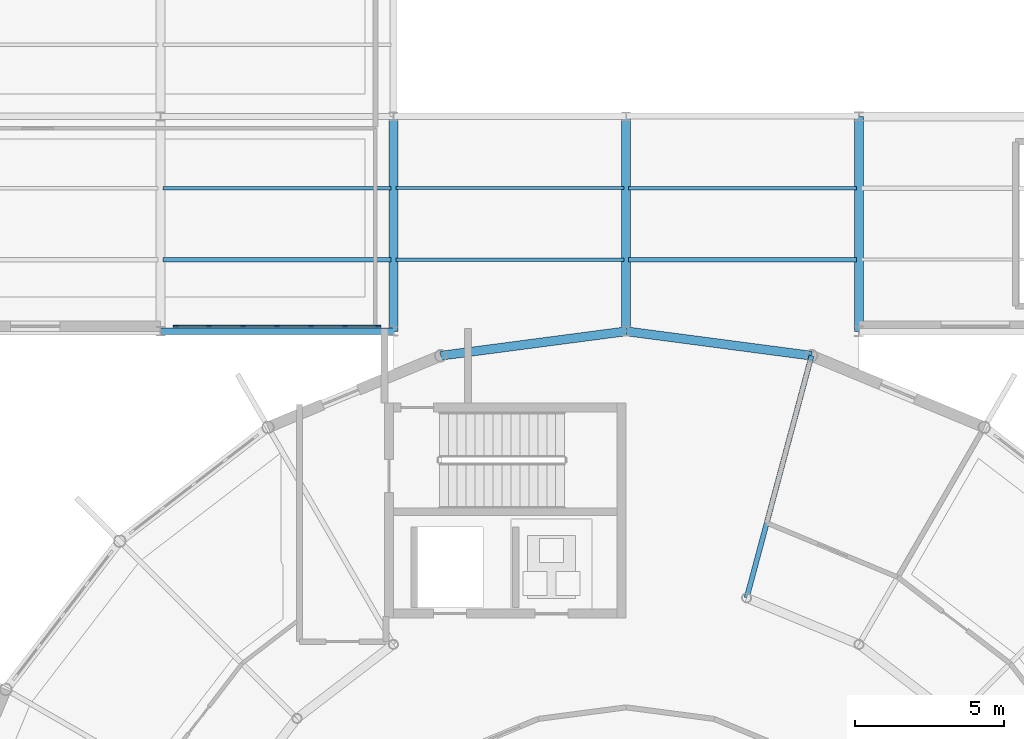
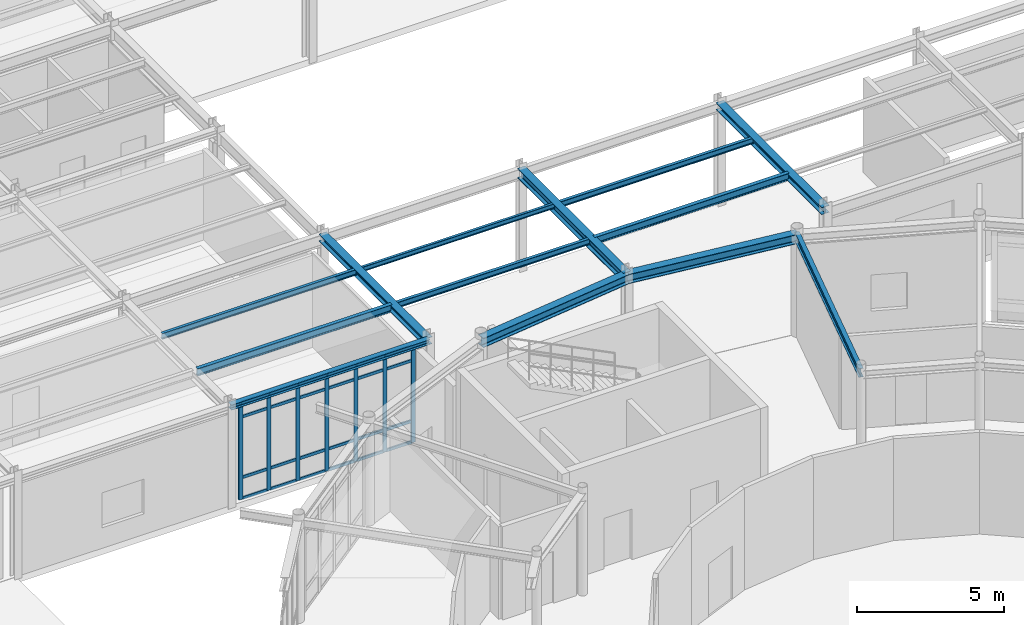
# One storey, part 45 of 101: 31 members, 13 beams, 1 element without a shape of its own.
"""IFC4 building model written with IfcOpenShell, lengths in metres."""

from ifc_helpers import new_model, si_unit, derived_unit, direction, frame, origin, origin_2d, place, context, subcontext, project, spatial, rectangle, i_section, extrude, material, layer, layer_set, material_profile, profile_set, type_object, element, aggregate, save


model = new_model("IFC4")

# Units and contexts
model_context = context("Model", 3, precision=1e-05, world=origin(), true_north=direction((0.0, 1.0)))
body_context = subcontext(model_context, "Body", "Model", "MODEL_VIEW")
ifc_project = project(units=[si_unit("LENGTHUNIT", "METRE"), si_unit("AREAUNIT", "SQUARE_METRE"), si_unit("VOLUMEUNIT", "CUBIC_METRE"), si_unit("PLANEANGLEUNIT", "RADIAN"), si_unit("MASSUNIT", "GRAM", prefix="KILO"), derived_unit("THERMALTRANSMITTANCEUNIT", [(si_unit("POWERUNIT", "WATT"), 1), (si_unit("AREAUNIT", "SQUARE_METRE"), -1), (si_unit("THERMODYNAMICTEMPERATUREUNIT", "KELVIN"), -1)])], contexts=[model_context])

# Site, building, storey
site_placement = place(None, origin())
site = spatial("IfcSite", under=ifc_project, at=site_placement, CompositionType="ELEMENT")
building_placement = place(site_placement, origin())
building = spatial("IfcBuilding", under=site, at=building_placement, Name="Yasenodar Specialist Clinic", CompositionType="ELEMENT")
storey_placement = place(building_placement, origin())
storey = spatial("IfcBuildingStorey", under=building, at=storey_placement, Name="L00", CompositionType="ELEMENT", Elevation=0.0)

# Beams
ifc_material_1 = material(Name="Steel S355", Category="steel")
ifc_material_profile_1 = material_profile(ifc_material_1, i_section(OverallWidth=0.219970703125, OverallDepth=0.2099609375, WebThickness=0.007080078125, FlangeThickness=0.010986328125, FilletRadius=0.01806640625, at=origin_2d()), Name="HEA 220")
ifc_profile_set_1 = profile_set([ifc_material_profile_1], Name="Steel S355")
beam_type_1 = type_object("IfcBeamType", Name="BM-HEA220", PredefinedType="BEAM", material=ifc_profile_set_1)
beam_1_placement = place(storey_placement, frame((65.39990234375, 82.800048828125, 4.14501953125), z_axis=(1.0, 0.0, 0.0), x_axis=(0.0, 1.0, 0.0)))
element("IfcBeam", 1, at=beam_1_placement, inside=storey, type_object=beam_type_1, Name="L00 Primary E-W Girder", PredefinedType="BEAM", context=body_context, shape_type="SweptSolid", body=[
    extrude(i_section(OverallWidth=0.219970703125, OverallDepth=0.2099609375, WebThickness=0.007080078125, FlangeThickness=0.010986328125, FilletRadius=0.01806640625, at=origin_2d()), origin(), (0.0, 0.0, 1.0), 7.800048828125),
])
ifc_material_profile_2 = material_profile(ifc_material_1, i_section(OverallWidth=0.300048828125, OverallDepth=0.2900390625, WebThickness=0.008544921875, FlangeThickness=0.013916015625, FilletRadius=0.027099609375, at=origin_2d()), Name="HEA 300")
ifc_profile_set_2 = profile_set([ifc_material_profile_2], Name="Steel S355")
beam_type_2 = type_object("IfcBeamType", Name="BM-HEA300", PredefinedType="BEAM", material=ifc_profile_set_2)
beam_2_placement = place(storey_placement, frame((73.199951171875, 82.800048828125, 4.10498046875), z_axis=(0.0, 1.0, 0.0), x_axis=(-1.0, 0.0, 0.0)))
element("IfcBeam", 2, at=beam_2_placement, inside=storey, type_object=beam_type_2, Name="L00 Primary N-S Girder", PredefinedType="BEAM", context=body_context, shape_type="SweptSolid", body=[
    extrude(i_section(OverallWidth=0.300048828125, OverallDepth=0.2900390625, WebThickness=0.008544921875, FlangeThickness=0.013916015625, FilletRadius=0.027099609375, at=origin_2d()), origin(), (0.0, 0.0, 1.0), 7.199951171875),
])
ifc_material_profile_3 = material_profile(ifc_material_1, i_section(OverallWidth=0.300048828125, OverallDepth=0.389892578125, WebThickness=0.010986328125, FlangeThickness=0.01904296875, FilletRadius=0.027099609375, at=origin_2d()), Name="HEA 400")
ifc_profile_set_3 = profile_set([ifc_material_profile_3], Name="Steel S355")
beam_type_3 = type_object("IfcBeamType", Name="BM-HEA400", PredefinedType="BEAM", material=ifc_profile_set_3)
for number, where, z_axis, x_axis, name in (
    (3, (87.211669921875, 81.982177734375, 4.054931640625), (-0.991443018138, 0.130540192224, 0.0), (-0.130540192224, -0.991443018138, 0.0), "L00 Drum V1 Perimeter Ring Beam"),
    (4, (81.0, 82.800048828125, 4.054931640625), (-0.991443018138, -0.130540192224, 0.0), (0.130540192224, -0.991443018138, 0.0), "L00 Drum V1 Perimeter Ring Beam"),
):
    element("IfcBeam", number, at=place(storey_placement, frame(where, z_axis=z_axis, x_axis=x_axis)), inside=storey, type_object=beam_type_3, Name=name, PredefinedType="BEAM", context=body_context, shape_type="SweptSolid", body=[
        extrude(i_section(OverallWidth=0.300048828125, OverallDepth=0.389892578125, WebThickness=0.010986328125, FlangeThickness=0.01904296875, FilletRadius=0.027099609375, at=origin_2d()), origin(), (0.0, 0.0, 1.0), 6.265380859375),
    ])
ifc_material_profile_4 = material_profile(ifc_material_1, i_section(OverallWidth=0.300048828125, OverallDepth=0.300048828125, WebThickness=0.010986328125, FlangeThickness=0.01904296875, FilletRadius=0.027099609375, at=origin_2d()), Name="HEB 300")
ifc_profile_set_4 = profile_set([ifc_material_profile_4], Name="Steel S355")
beam_type_4 = type_object("IfcBeamType", Name="BM-HEB300", PredefinedType="BEAM", material=ifc_profile_set_4)
beam_3_placement = place(storey_placement, frame((88.800048828125, 82.800048828125, 4.10009765625), z_axis=(0.0, 1.0, 0.0), x_axis=(-1.0, 0.0, 0.0)))
element("IfcBeam", 5, at=beam_3_placement, inside=storey, type_object=beam_type_4, Name="L00 Primary N-S Girder", PredefinedType="BEAM", context=body_context, shape_type="SweptSolid", body=[
    extrude(i_section(OverallWidth=0.300048828125, OverallDepth=0.300048828125, WebThickness=0.010986328125, FlangeThickness=0.01904296875, FilletRadius=0.027099609375, at=origin_2d()), origin(), (0.0, 0.0, 1.0), 7.199951171875),
])
ifc_material_profile_5 = material_profile(ifc_material_1, i_section(OverallWidth=0.300048828125, OverallDepth=0.39990234375, WebThickness=0.013427734375, FlangeThickness=0.02392578125, FilletRadius=0.027099609375, at=origin_2d()), Name="HEB 400")
ifc_profile_set_5 = profile_set([ifc_material_profile_5], Name="Steel S355")
beam_type_5 = type_object("IfcBeamType", Name="BM-HEB400", PredefinedType="BEAM", material=ifc_profile_set_5)
beam_4_placement = place(storey_placement, frame((81.0, 82.800048828125, 4.050048828125), z_axis=(0.0, 1.0, 0.0), x_axis=(-1.0, 0.0, 0.0)))
element("IfcBeam", 6, at=beam_4_placement, inside=storey, type_object=beam_type_5, Name="L00 Primary N-S Girder", PredefinedType="BEAM", context=body_context, shape_type="SweptSolid", body=[
    extrude(i_section(OverallWidth=0.300048828125, OverallDepth=0.39990234375, WebThickness=0.013427734375, FlangeThickness=0.02392578125, FilletRadius=0.027099609375, at=origin_2d()), origin(), (0.0, 0.0, 1.0), 7.199951171875),
])
ifc_material_profile_6 = material_profile(ifc_material_1, i_section(OverallWidth=0.169921875, OverallDepth=0.360107421875, WebThickness=0.008056640625, FlangeThickness=0.0126953125, FilletRadius=0.01806640625, at=origin_2d()), Name="IPE 360")
ifc_profile_set_6 = profile_set([ifc_material_profile_6], Name="Steel S355")
beam_type_6 = type_object("IfcBeamType", Name="BM-IPE360", PredefinedType="BEAM", material=ifc_profile_set_6)
beam_5_placement = place(storey_placement, frame((85.03759765625, 73.868408203125, 4.070068359375), z_axis=(0.258818408893, 0.965925996761, 0.0), x_axis=(-0.965925996761, 0.258818408893, 0.0)))
element("IfcBeam", 7, at=beam_5_placement, inside=storey, type_object=beam_type_6, Name="L00 Drum V1 Radial Beam", PredefinedType="BEAM", context=body_context, shape_type="SweptSolid", body=[
    extrude(i_section(OverallWidth=0.169921875, OverallDepth=0.360107421875, WebThickness=0.008056640625, FlangeThickness=0.0126953125, FilletRadius=0.01806640625, at=origin_2d()), origin(), (0.0, 0.0, 1.0), 8.39990234375),
])

# Curtain wall, members
ifc_material_2 = material(Name="Bronze Anodized Aluminium and Triple Low-E Glass", Category="aluminium")
ifc_layer = layer(ifc_material_2, 0.215087890625)
ifc_layer_set = layer_set([ifc_layer], Name="Bronze Anodized Aluminium and Triple Low-E Glass")
curtain_wall_type = type_object("IfcCurtainWallType", Name="CW-SYS-05", PredefinedType="USERDEFINED", material=ifc_layer_set)
curtain_wall_placement = place(storey_placement, origin())
curtain_wall = element("IfcCurtainWall", 8, at=curtain_wall_placement, inside=storey, type_object=curtain_wall_type, Name="L00 Unitised Curtain Wall 148", ObjectType="UNITISED CURTAIN WALL", PredefinedType="USERDEFINED")
ifc_material_3 = material(Name="Bronze Anodized Aluminium", Category="aluminium")
ifc_material_profile_7 = material_profile(ifc_material_3, rectangle(XDim=0.06005859375, YDim=0.159912109375, at=origin_2d()), Name="CW-MULL 60x160")
ifc_profile_set_7 = profile_set([ifc_material_profile_7], Name="Bronze Anodized Aluminium")
member_type_1 = type_object("IfcMemberType", Name="CW-MULL-160", PredefinedType="MULLION", material=ifc_profile_set_7)
member_1_placement = place(storey_placement, frame((72.68994140625, 82.969970703125, 0.0), z_axis=(0.0, 0.0, 1.0), x_axis=(0.0, -1.0, 0.0)))
member_1 = element("IfcMember", 9, at=member_1_placement, type_object=member_type_1, Name="CW-05 mullion 1", PredefinedType="MULLION", context=body_context, shape_type="SweptSolid", body=[
    extrude(rectangle(XDim=0.06005859375, YDim=0.159912109375, at=origin_2d()), origin(), (0.0, 0.0, 1.0), 4.01806640625),
])
member_2_placement = place(storey_placement, frame((71.580078125, 82.969970703125, 0.0), z_axis=(0.0, 0.0, 1.0), x_axis=(0.0, -1.0, 0.0)))
member_2 = element("IfcMember", 10, at=member_2_placement, type_object=member_type_1, Name="CW-05 mullion 2", PredefinedType="MULLION", context=body_context, shape_type="SweptSolid", body=[
    extrude(rectangle(XDim=0.06005859375, YDim=0.159912109375, at=origin_2d()), origin(), (0.0, 0.0, 1.0), 4.01806640625),
])
member_3_placement = place(storey_placement, frame((70.43994140625, 82.969970703125, 0.0), z_axis=(0.0, 0.0, 1.0), x_axis=(0.0, -1.0, 0.0)))
member_3 = element("IfcMember", 11, at=member_3_placement, type_object=member_type_1, Name="CW-05 mullion 3", PredefinedType="MULLION", context=body_context, shape_type="SweptSolid", body=[
    extrude(rectangle(XDim=0.06005859375, YDim=0.159912109375, at=origin_2d()), origin(), (0.0, 0.0, 1.0), 4.01806640625),
])
member_4_placement = place(storey_placement, frame((69.300048828125, 82.969970703125, 0.0), z_axis=(0.0, 0.0, 1.0), x_axis=(0.0, -1.0, 0.0)))
member_4 = element("IfcMember", 12, at=member_4_placement, type_object=member_type_1, Name="CW-05 mullion 4", PredefinedType="MULLION", context=body_context, shape_type="SweptSolid", body=[
    extrude(rectangle(XDim=0.06005859375, YDim=0.159912109375, at=origin_2d()), origin(), (0.0, 0.0, 1.0), 4.01806640625),
])
member_5_placement = place(storey_placement, frame((68.159912109375, 82.969970703125, 0.0), z_axis=(0.0, 0.0, 1.0), x_axis=(0.0, -1.0, 0.0)))
member_5 = element("IfcMember", 13, at=member_5_placement, type_object=member_type_1, Name="CW-05 mullion 5", PredefinedType="MULLION", context=body_context, shape_type="SweptSolid", body=[
    extrude(rectangle(XDim=0.06005859375, YDim=0.159912109375, at=origin_2d()), origin(), (0.0, 0.0, 1.0), 4.01806640625),
])
member_6_placement = place(storey_placement, frame((67.02001953125, 82.969970703125, 0.0), z_axis=(0.0, 0.0, 1.0), x_axis=(0.0, -1.0, 0.0)))
member_6 = element("IfcMember", 14, at=member_6_placement, type_object=member_type_1, Name="CW-05 mullion 6", PredefinedType="MULLION", context=body_context, shape_type="SweptSolid", body=[
    extrude(rectangle(XDim=0.06005859375, YDim=0.159912109375, at=origin_2d()), origin(), (0.0, 0.0, 1.0), 4.01806640625),
])
member_7_placement = place(storey_placement, frame((65.909912109375, 82.969970703125, 0.0), z_axis=(0.0, 0.0, 1.0), x_axis=(0.0, -1.0, 0.0)))
member_7 = element("IfcMember", 15, at=member_7_placement, type_object=member_type_1, Name="CW-05 mullion 7", PredefinedType="MULLION", context=body_context, shape_type="SweptSolid", body=[
    extrude(rectangle(XDim=0.06005859375, YDim=0.159912109375, at=origin_2d()), origin(), (0.0, 0.0, 1.0), 4.01806640625),
])
ifc_material_profile_8 = material_profile(ifc_material_3, rectangle(XDim=0.06005859375, YDim=0.1201171875, at=origin_2d()), Name="CW-TRAN 60x120")
ifc_profile_set_8 = profile_set([ifc_material_profile_8], Name="Bronze Anodized Aluminium")
member_type_2 = type_object("IfcMemberType", Name="CW-TRAN-120", PredefinedType="USERDEFINED", material=ifc_profile_set_8)
member_8_placement = place(storey_placement, frame((72.659912109375, 82.969970703125, 0.030029296875), z_axis=(-1.0, 0.0, 0.0), x_axis=(0.0, -1.0, 0.0)))
member_8 = element("IfcMember", 16, at=member_8_placement, type_object=member_type_2, Name="CW-05 transom 1.1", ObjectType="TRANSOM", PredefinedType="USERDEFINED", context=body_context, shape_type="SweptSolid", body=[
    extrude(rectangle(XDim=0.06005859375, YDim=0.1201171875, at=origin_2d()), origin(), (0.0, 0.0, 1.0), 1.0498046875),
])
member_9_placement = place(storey_placement, frame((72.659912109375, 82.969970703125, 0.89990234375), z_axis=(-1.0, 0.0, 0.0), x_axis=(0.0, -1.0, 0.0)))
member_9 = element("IfcMember", 17, at=member_9_placement, type_object=member_type_2, Name="CW-05 transom 1.2", ObjectType="TRANSOM", PredefinedType="USERDEFINED", context=body_context, shape_type="SweptSolid", body=[
    extrude(rectangle(XDim=0.06005859375, YDim=0.1201171875, at=origin_2d()), origin(), (0.0, 0.0, 1.0), 1.0498046875),
])
member_10_placement = place(storey_placement, frame((72.659912109375, 82.969970703125, 3.41796875), z_axis=(-1.0, 0.0, 0.0), x_axis=(0.0, -1.0, 0.0)))
member_10 = element("IfcMember", 18, at=member_10_placement, type_object=member_type_2, Name="CW-05 transom 1.3", ObjectType="TRANSOM", PredefinedType="USERDEFINED", context=body_context, shape_type="SweptSolid", body=[
    extrude(rectangle(XDim=0.06005859375, YDim=0.1201171875, at=origin_2d()), origin(), (0.0, 0.0, 1.0), 1.0498046875),
])
member_11_placement = place(storey_placement, frame((72.659912109375, 82.969970703125, 3.988037109375), z_axis=(-1.0, 0.0, 0.0), x_axis=(0.0, -1.0, 0.0)))
member_11 = element("IfcMember", 19, at=member_11_placement, type_object=member_type_2, Name="CW-05 transom 1.4", ObjectType="TRANSOM", PredefinedType="USERDEFINED", context=body_context, shape_type="SweptSolid", body=[
    extrude(rectangle(XDim=0.06005859375, YDim=0.1201171875, at=origin_2d()), origin(), (0.0, 0.0, 1.0), 1.0498046875),
])
member_12_placement = place(storey_placement, frame((71.550048828125, 82.969970703125, 0.030029296875), z_axis=(-1.0, 0.0, 0.0), x_axis=(0.0, -1.0, 0.0)))
member_12 = element("IfcMember", 20, at=member_12_placement, type_object=member_type_2, Name="CW-05 transom 2.1", ObjectType="TRANSOM", PredefinedType="USERDEFINED", context=body_context, shape_type="SweptSolid", body=[
    extrude(rectangle(XDim=0.06005859375, YDim=0.1201171875, at=origin_2d()), origin(), (0.0, 0.0, 1.0), 1.080078125),
])
member_13_placement = place(storey_placement, frame((71.550048828125, 82.969970703125, 0.89990234375), z_axis=(-1.0, 0.0, 0.0), x_axis=(0.0, -1.0, 0.0)))
member_13 = element("IfcMember", 21, at=member_13_placement, type_object=member_type_2, Name="CW-05 transom 2.2", ObjectType="TRANSOM", PredefinedType="USERDEFINED", context=body_context, shape_type="SweptSolid", body=[
    extrude(rectangle(XDim=0.06005859375, YDim=0.1201171875, at=origin_2d()), origin(), (0.0, 0.0, 1.0), 1.080078125),
])
member_14_placement = place(storey_placement, frame((71.550048828125, 82.969970703125, 3.41796875), z_axis=(-1.0, 0.0, 0.0), x_axis=(0.0, -1.0, 0.0)))
member_14 = element("IfcMember", 22, at=member_14_placement, type_object=member_type_2, Name="CW-05 transom 2.3", ObjectType="TRANSOM", PredefinedType="USERDEFINED", context=body_context, shape_type="SweptSolid", body=[
    extrude(rectangle(XDim=0.06005859375, YDim=0.1201171875, at=origin_2d()), origin(), (0.0, 0.0, 1.0), 1.080078125),
])
member_15_placement = place(storey_placement, frame((71.550048828125, 82.969970703125, 3.988037109375), z_axis=(-1.0, 0.0, 0.0), x_axis=(0.0, -1.0, 0.0)))
member_15 = element("IfcMember", 23, at=member_15_placement, type_object=member_type_2, Name="CW-05 transom 2.4", ObjectType="TRANSOM", PredefinedType="USERDEFINED", context=body_context, shape_type="SweptSolid", body=[
    extrude(rectangle(XDim=0.06005859375, YDim=0.1201171875, at=origin_2d()), origin(), (0.0, 0.0, 1.0), 1.080078125),
])
member_16_placement = place(storey_placement, frame((70.409912109375, 82.969970703125, 0.030029296875), z_axis=(-1.0, 0.0, 0.0), x_axis=(0.0, -1.0, 0.0)))
member_16 = element("IfcMember", 24, at=member_16_placement, type_object=member_type_2, Name="CW-05 transom 3.1", ObjectType="TRANSOM", PredefinedType="USERDEFINED", context=body_context, shape_type="SweptSolid", body=[
    extrude(rectangle(XDim=0.06005859375, YDim=0.1201171875, at=origin_2d()), origin(), (0.0, 0.0, 1.0), 1.079833984375),
])
member_17_placement = place(storey_placement, frame((70.409912109375, 82.969970703125, 0.89990234375), z_axis=(-1.0, 0.0, 0.0), x_axis=(0.0, -1.0, 0.0)))
member_17 = element("IfcMember", 25, at=member_17_placement, type_object=member_type_2, Name="CW-05 transom 3.2", ObjectType="TRANSOM", PredefinedType="USERDEFINED", context=body_context, shape_type="SweptSolid", body=[
    extrude(rectangle(XDim=0.06005859375, YDim=0.1201171875, at=origin_2d()), origin(), (0.0, 0.0, 1.0), 1.079833984375),
])
member_18_placement = place(storey_placement, frame((70.409912109375, 82.969970703125, 3.41796875), z_axis=(-1.0, 0.0, 0.0), x_axis=(0.0, -1.0, 0.0)))
member_18 = element("IfcMember", 26, at=member_18_placement, type_object=member_type_2, Name="CW-05 transom 3.3", ObjectType="TRANSOM", PredefinedType="USERDEFINED", context=body_context, shape_type="SweptSolid", body=[
    extrude(rectangle(XDim=0.06005859375, YDim=0.1201171875, at=origin_2d()), origin(), (0.0, 0.0, 1.0), 1.079833984375),
])
member_19_placement = place(storey_placement, frame((70.409912109375, 82.969970703125, 3.988037109375), z_axis=(-1.0, 0.0, 0.0), x_axis=(0.0, -1.0, 0.0)))
member_19 = element("IfcMember", 27, at=member_19_placement, type_object=member_type_2, Name="CW-05 transom 3.4", ObjectType="TRANSOM", PredefinedType="USERDEFINED", context=body_context, shape_type="SweptSolid", body=[
    extrude(rectangle(XDim=0.06005859375, YDim=0.1201171875, at=origin_2d()), origin(), (0.0, 0.0, 1.0), 1.079833984375),
])
member_20_placement = place(storey_placement, frame((69.27001953125, 82.969970703125, 0.030029296875), z_axis=(-1.0, 0.0, 0.0), x_axis=(0.0, -1.0, 0.0)))
member_20 = element("IfcMember", 28, at=member_20_placement, type_object=member_type_2, Name="CW-05 transom 4.1", ObjectType="TRANSOM", PredefinedType="USERDEFINED", context=body_context, shape_type="SweptSolid", body=[
    extrude(rectangle(XDim=0.06005859375, YDim=0.1201171875, at=origin_2d()), origin(), (0.0, 0.0, 1.0), 1.080078125),
])
member_21_placement = place(storey_placement, frame((69.27001953125, 82.969970703125, 0.89990234375), z_axis=(-1.0, 0.0, 0.0), x_axis=(0.0, -1.0, 0.0)))
member_21 = element("IfcMember", 29, at=member_21_placement, type_object=member_type_2, Name="CW-05 transom 4.2", ObjectType="TRANSOM", PredefinedType="USERDEFINED", context=body_context, shape_type="SweptSolid", body=[
    extrude(rectangle(XDim=0.06005859375, YDim=0.1201171875, at=origin_2d()), origin(), (0.0, 0.0, 1.0), 1.080078125),
])
member_22_placement = place(storey_placement, frame((69.27001953125, 82.969970703125, 3.41796875), z_axis=(-1.0, 0.0, 0.0), x_axis=(0.0, -1.0, 0.0)))
member_22 = element("IfcMember", 30, at=member_22_placement, type_object=member_type_2, Name="CW-05 transom 4.3", ObjectType="TRANSOM", PredefinedType="USERDEFINED", context=body_context, shape_type="SweptSolid", body=[
    extrude(rectangle(XDim=0.06005859375, YDim=0.1201171875, at=origin_2d()), origin(), (0.0, 0.0, 1.0), 1.080078125),
])
member_23_placement = place(storey_placement, frame((69.27001953125, 82.969970703125, 3.988037109375), z_axis=(-1.0, 0.0, 0.0), x_axis=(0.0, -1.0, 0.0)))
member_23 = element("IfcMember", 31, at=member_23_placement, type_object=member_type_2, Name="CW-05 transom 4.4", ObjectType="TRANSOM", PredefinedType="USERDEFINED", context=body_context, shape_type="SweptSolid", body=[
    extrude(rectangle(XDim=0.06005859375, YDim=0.1201171875, at=origin_2d()), origin(), (0.0, 0.0, 1.0), 1.080078125),
])
member_24_placement = place(storey_placement, frame((68.1298828125, 82.969970703125, 0.030029296875), z_axis=(-1.0, 0.0, 0.0), x_axis=(0.0, -1.0, 0.0)))
member_24 = element("IfcMember", 32, at=member_24_placement, type_object=member_type_2, Name="CW-05 transom 5.1", ObjectType="TRANSOM", PredefinedType="USERDEFINED", context=body_context, shape_type="SweptSolid", body=[
    extrude(rectangle(XDim=0.06005859375, YDim=0.1201171875, at=origin_2d()), origin(), (0.0, 0.0, 1.0), 1.079833984375),
])
member_25_placement = place(storey_placement, frame((68.1298828125, 82.969970703125, 0.89990234375), z_axis=(-1.0, 0.0, 0.0), x_axis=(0.0, -1.0, 0.0)))
member_25 = element("IfcMember", 33, at=member_25_placement, type_object=member_type_2, Name="CW-05 transom 5.2", ObjectType="TRANSOM", PredefinedType="USERDEFINED", context=body_context, shape_type="SweptSolid", body=[
    extrude(rectangle(XDim=0.06005859375, YDim=0.1201171875, at=origin_2d()), origin(), (0.0, 0.0, 1.0), 1.079833984375),
])
member_26_placement = place(storey_placement, frame((68.1298828125, 82.969970703125, 3.41796875), z_axis=(-1.0, 0.0, 0.0), x_axis=(0.0, -1.0, 0.0)))
member_26 = element("IfcMember", 34, at=member_26_placement, type_object=member_type_2, Name="CW-05 transom 5.3", ObjectType="TRANSOM", PredefinedType="USERDEFINED", context=body_context, shape_type="SweptSolid", body=[
    extrude(rectangle(XDim=0.06005859375, YDim=0.1201171875, at=origin_2d()), origin(), (0.0, 0.0, 1.0), 1.079833984375),
])
member_27_placement = place(storey_placement, frame((68.1298828125, 82.969970703125, 3.988037109375), z_axis=(-1.0, 0.0, 0.0), x_axis=(0.0, -1.0, 0.0)))
member_27 = element("IfcMember", 35, at=member_27_placement, type_object=member_type_2, Name="CW-05 transom 5.4", ObjectType="TRANSOM", PredefinedType="USERDEFINED", context=body_context, shape_type="SweptSolid", body=[
    extrude(rectangle(XDim=0.06005859375, YDim=0.1201171875, at=origin_2d()), origin(), (0.0, 0.0, 1.0), 1.079833984375),
])
member_28_placement = place(storey_placement, frame((66.989990234375, 82.969970703125, 0.030029296875), z_axis=(-1.0, 0.0, 0.0), x_axis=(0.0, -1.0, 0.0)))
member_28 = element("IfcMember", 36, at=member_28_placement, type_object=member_type_2, Name="CW-05 transom 6.1", ObjectType="TRANSOM", PredefinedType="USERDEFINED", context=body_context, shape_type="SweptSolid", body=[
    extrude(rectangle(XDim=0.06005859375, YDim=0.1201171875, at=origin_2d()), origin(), (0.0, 0.0, 1.0), 1.050048828125),
])
member_29_placement = place(storey_placement, frame((66.989990234375, 82.969970703125, 0.89990234375), z_axis=(-1.0, 0.0, 0.0), x_axis=(0.0, -1.0, 0.0)))
member_29 = element("IfcMember", 37, at=member_29_placement, type_object=member_type_2, Name="CW-05 transom 6.2", ObjectType="TRANSOM", PredefinedType="USERDEFINED", context=body_context, shape_type="SweptSolid", body=[
    extrude(rectangle(XDim=0.06005859375, YDim=0.1201171875, at=origin_2d()), origin(), (0.0, 0.0, 1.0), 1.050048828125),
])
member_30_placement = place(storey_placement, frame((66.989990234375, 82.969970703125, 3.41796875), z_axis=(-1.0, 0.0, 0.0), x_axis=(0.0, -1.0, 0.0)))
member_30 = element("IfcMember", 38, at=member_30_placement, type_object=member_type_2, Name="CW-05 transom 6.3", ObjectType="TRANSOM", PredefinedType="USERDEFINED", context=body_context, shape_type="SweptSolid", body=[
    extrude(rectangle(XDim=0.06005859375, YDim=0.1201171875, at=origin_2d()), origin(), (0.0, 0.0, 1.0), 1.050048828125),
])
member_31_placement = place(storey_placement, frame((66.989990234375, 82.969970703125, 3.988037109375), z_axis=(-1.0, 0.0, 0.0), x_axis=(0.0, -1.0, 0.0)))
member_31 = element("IfcMember", 39, at=member_31_placement, type_object=member_type_2, Name="CW-05 transom 6.4", ObjectType="TRANSOM", PredefinedType="USERDEFINED", context=body_context, shape_type="SweptSolid", body=[
    extrude(rectangle(XDim=0.06005859375, YDim=0.1201171875, at=origin_2d()), origin(), (0.0, 0.0, 1.0), 1.050048828125),
])
aggregate(curtain_wall, [member_1, member_2, member_3, member_4, member_5, member_6, member_7, member_8, member_9, member_10, member_11, member_12, member_13, member_14, member_15, member_16, member_17, member_18, member_19, member_20, member_21, member_22, member_23, member_24, member_25, member_26, member_27, member_28, member_29, member_30, member_31])

# Beams
ifc_material_profile_9 = material_profile(ifc_material_1, i_section(OverallWidth=0.10009765625, OverallDepth=0.199951171875, WebThickness=0.005615234375, FlangeThickness=0.008544921875, FilletRadius=0.011962890625, at=origin_2d()), Name="IPE 200")
ifc_profile_set_9 = profile_set([ifc_material_profile_9], Name="Steel S355")
beam_type_7 = type_object("IfcBeamType", Name="JS-IPE200", PredefinedType="JOIST", material=ifc_profile_set_9)
beam_6_placement = place(storey_placement, frame((73.280029296875, 87.60009765625, 4.14990234375), z_axis=(1.0, 0.0, 0.0), x_axis=(0.0, 1.0, 0.0)))
element("IfcBeam", 40, at=beam_6_placement, inside=storey, type_object=beam_type_7, Name="L00 Composite Floor Joist", PredefinedType="JOIST", context=body_context, shape_type="SweptSolid", body=[
    extrude(i_section(OverallWidth=0.10009765625, OverallDepth=0.199951171875, WebThickness=0.005615234375, FlangeThickness=0.008544921875, FilletRadius=0.011962890625, at=origin_2d()), origin(), (0.0, 0.0, 1.0), 7.639892578125),
])
ifc_material_profile_10 = material_profile(ifc_material_1, i_section(OverallWidth=0.1201171875, OverallDepth=0.239990234375, WebThickness=0.006103515625, FlangeThickness=0.009765625, FilletRadius=0.014892578125, at=origin_2d()), Name="IPE 240")
ifc_profile_set_10 = profile_set([ifc_material_profile_10], Name="Steel S355")
beam_type_8 = type_object("IfcBeamType", Name="JS-IPE240", PredefinedType="JOIST", material=ifc_profile_set_10)
beam_7_placement = place(storey_placement, frame((65.47998046875, 87.60009765625, 4.1298828125), z_axis=(1.0, 0.0, 0.0), x_axis=(0.0, 1.0, 0.0)))
element("IfcBeam", 41, at=beam_7_placement, inside=storey, type_object=beam_type_8, Name="L00 Composite Floor Joist", PredefinedType="JOIST", context=body_context, shape_type="SweptSolid", body=[
    extrude(i_section(OverallWidth=0.1201171875, OverallDepth=0.239990234375, WebThickness=0.006103515625, FlangeThickness=0.009765625, FilletRadius=0.014892578125, at=origin_2d()), origin(), (0.0, 0.0, 1.0), 7.64013671875),
])
for number, where, z_axis, x_axis, name in (
    (42, (73.280029296875, 85.199951171875, 4.1298828125), (1.0, 0.0, 0.0), (0.0, 1.0, 0.0), "L00 Composite Floor Joist"),
    (43, (81.080078125, 87.60009765625, 4.1298828125), (1.0, 0.0, 0.0), (0.0, 1.0, 0.0), "L00 Composite Floor Joist"),
):
    element("IfcBeam", number, at=place(storey_placement, frame(where, z_axis=z_axis, x_axis=x_axis)), inside=storey, type_object=beam_type_8, Name=name, PredefinedType="JOIST", context=body_context, shape_type="SweptSolid", body=[
        extrude(i_section(OverallWidth=0.1201171875, OverallDepth=0.239990234375, WebThickness=0.006103515625, FlangeThickness=0.009765625, FilletRadius=0.014892578125, at=origin_2d()), origin(), (0.0, 0.0, 1.0), 7.639892578125),
    ])
ifc_material_profile_11 = material_profile(ifc_material_1, i_section(OverallWidth=0.14990234375, OverallDepth=0.300048828125, WebThickness=0.007080078125, FlangeThickness=0.0107421875, FilletRadius=0.014892578125, at=origin_2d()), Name="IPE 300")
ifc_profile_set_11 = profile_set([ifc_material_profile_11], Name="Steel S355")
beam_type_9 = type_object("IfcBeamType", Name="JS-IPE300", PredefinedType="JOIST", material=ifc_profile_set_11)
beam_8_placement = place(storey_placement, frame((65.47998046875, 85.199951171875, 4.10009765625), z_axis=(1.0, 0.0, 0.0), x_axis=(0.0, 1.0, 0.0)))
element("IfcBeam", 44, at=beam_8_placement, inside=storey, type_object=beam_type_9, Name="L00 Composite Floor Joist", PredefinedType="JOIST", context=body_context, shape_type="SweptSolid", body=[
    extrude(i_section(OverallWidth=0.14990234375, OverallDepth=0.300048828125, WebThickness=0.007080078125, FlangeThickness=0.0107421875, FilletRadius=0.014892578125, at=origin_2d()), origin(), (0.0, 0.0, 1.0), 7.64013671875),
])
beam_9_placement = place(storey_placement, frame((81.080078125, 85.199951171875, 4.10009765625), z_axis=(1.0, 0.0, 0.0), x_axis=(0.0, 1.0, 0.0)))
element("IfcBeam", 45, at=beam_9_placement, inside=storey, type_object=beam_type_9, Name="L00 Composite Floor Joist", PredefinedType="JOIST", context=body_context, shape_type="SweptSolid", body=[
    extrude(i_section(OverallWidth=0.14990234375, OverallDepth=0.300048828125, WebThickness=0.007080078125, FlangeThickness=0.0107421875, FilletRadius=0.014892578125, at=origin_2d()), origin(), (0.0, 0.0, 1.0), 7.639892578125),
])

save(model, "model.ifc")
